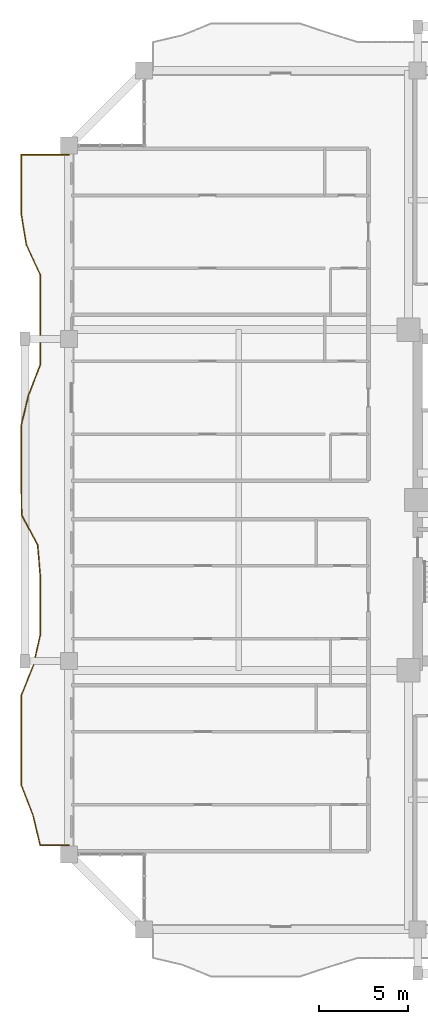
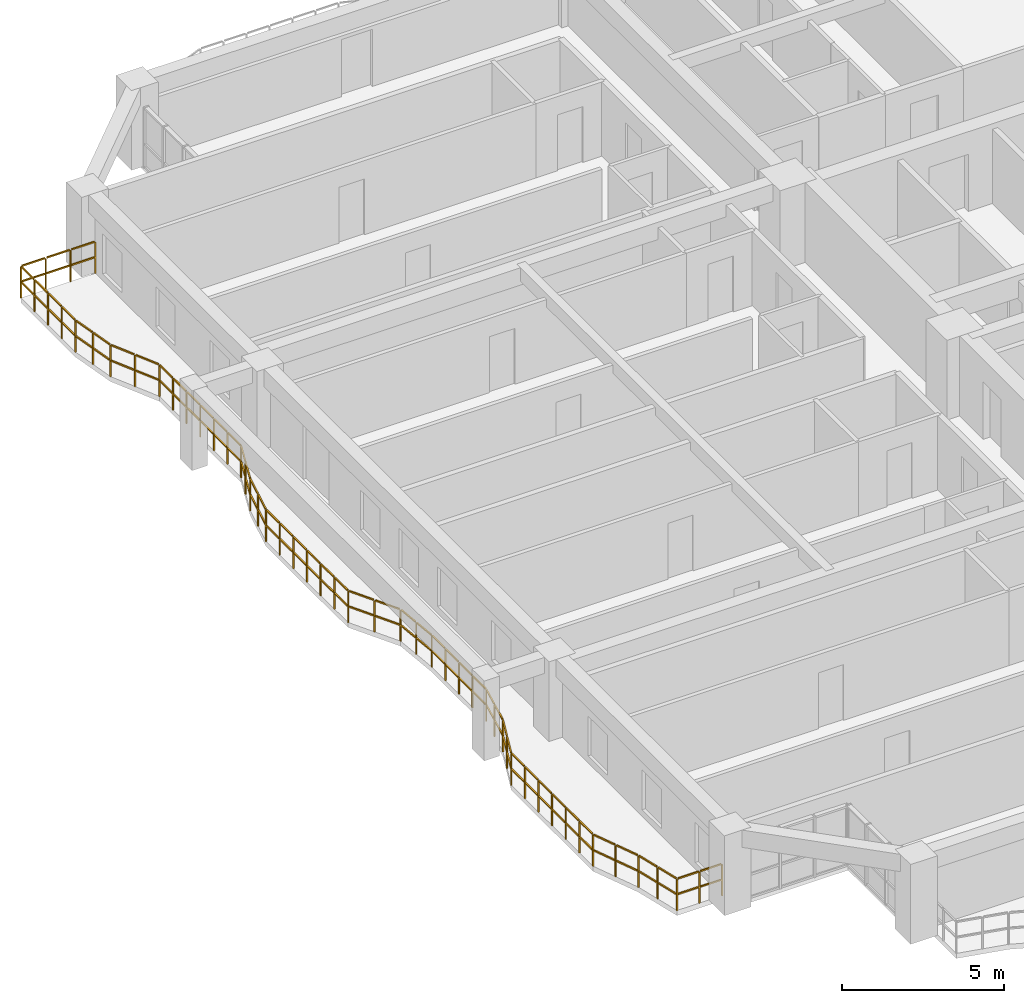
# One storey, part 19 of 22: 1 railing.
"""IFC4 building model written with IfcOpenShell, lengths in metres."""

from ifc_helpers import new_model, si_unit, direction, frame, origin, origin_2d, place, context, subcontext, project, spatial, rectangle, extrude, material, type_object, element, save


model = new_model("IFC4")

# Units and contexts
model_context = context("Model", 3, precision=1e-05, world=origin(), true_north=direction((0.0, 1.0)))
body_context = subcontext(model_context, "Body", "Model", "MODEL_VIEW")
ifc_project = project(units=[si_unit("LENGTHUNIT", "METRE"), si_unit("AREAUNIT", "SQUARE_METRE"), si_unit("VOLUMEUNIT", "CUBIC_METRE"), si_unit("PLANEANGLEUNIT", "RADIAN"), si_unit("MASSUNIT", "GRAM", prefix="KILO")], contexts=[model_context])

# Site, building, storey
site_placement = place(None, origin())
site = spatial("IfcSite", under=ifc_project, at=site_placement, CompositionType="ELEMENT")
building_placement = place(site_placement, origin())
building = spatial("IfcBuilding", under=site, at=building_placement, Name="Saelheon Loggia Tower", CompositionType="ELEMENT")
storey_placement = place(building_placement, frame((0.0, 0.0, 135.75)))
storey = spatial("IfcBuildingStorey", under=building, at=storey_placement, Name="L43", CompositionType="ELEMENT", Elevation=135.75)

# Railing
ifc_material = material(Name="Architectural Precast Concrete and Laminated Glass Guard", Category="concrete")
railing_type = type_object("IfcRailingType", Name="Guard_Loggia_RL_LOG", PredefinedType="BALUSTRADE", material=ifc_material)
railing_placement = place(storey_placement, frame((12.0, 46.300048828125, 0.0)))
element("IfcRailing", 1, at=railing_placement, inside=storey, type_object=railing_type, Name="L43 West Loggia Balustrade", PredefinedType="BALUSTRADE", context=body_context, shape_type="SweptSolid", body=[
    extrude(rectangle(XDim=0.048095703125, YDim=0.048095703125, at=origin_2d()), frame((-0.033203125, 0.0, 1.19580078125), z_axis=(-1.0, 0.0, 0.0), x_axis=(0.0, -1.0, 0.0)), (0.0, 0.0, 1.0), 0.81689453125),
    extrude(rectangle(XDim=0.048095703125, YDim=0.048095703125, at=origin_2d()), frame((-0.033203125, 0.0, 0.60986328125), z_axis=(-1.0, 0.0, 0.0), x_axis=(0.0, -1.0, 0.0)), (0.0, 0.0, 1.0), 0.81689453125),
    extrude(rectangle(XDim=0.048095703125, YDim=0.048095703125, at=origin_2d()), frame((-0.91650390625, 0.0, 1.19580078125), z_axis=(-1.0, 0.0, 0.0), x_axis=(0.0, -1.0, 0.0)), (0.0, 0.0, 1.0), 0.81689453125),
    extrude(rectangle(XDim=0.048095703125, YDim=0.048095703125, at=origin_2d()), frame((-0.91650390625, 0.0, 0.60986328125), z_axis=(-1.0, 0.0, 0.0), x_axis=(0.0, -1.0, 0.0)), (0.0, 0.0, 1.0), 0.81689453125),
    extrude(rectangle(XDim=0.048095703125, YDim=0.048095703125, at=origin_2d()), frame((-1.7998046875, 0.0, 1.19580078125), z_axis=(-1.0, 0.0, 0.0), x_axis=(0.0, -1.0, 0.0)), (0.0, 0.0, 1.0), 0.81689453125),
    extrude(rectangle(XDim=0.048095703125, YDim=0.048095703125, at=origin_2d()), frame((-1.7998046875, 0.0, 0.60986328125), z_axis=(-1.0, 0.0, 0.0), x_axis=(0.0, -1.0, 0.0)), (0.0, 0.0, 1.0), 0.81689453125),
    extrude(rectangle(XDim=0.048095703125, YDim=0.048095703125, at=origin_2d()), frame((-2.64990234375, -0.033203125, 1.19580078125), z_axis=(0.0, -1.0, 0.0), x_axis=(1.0, 0.0, 0.0)), (0.0, 0.0, 1.0), 0.772705078125),
    extrude(rectangle(XDim=0.048095703125, YDim=0.048095703125, at=origin_2d()), frame((-2.64990234375, -0.033203125, 0.60986328125), z_axis=(0.0, -1.0, 0.0), x_axis=(1.0, 0.0, 0.0)), (0.0, 0.0, 1.0), 0.772705078125),
    extrude(rectangle(XDim=0.048095703125, YDim=0.048095703125, at=origin_2d()), frame((-2.64990234375, -0.87255859375, 1.19580078125), z_axis=(0.0, -1.0, 0.0), x_axis=(1.0, 0.0, 0.0)), (0.0, 0.0, 1.0), 0.772705078125),
    extrude(rectangle(XDim=0.048095703125, YDim=0.048095703125, at=origin_2d()), frame((-2.64990234375, -0.87255859375, 0.60986328125), z_axis=(0.0, -1.0, 0.0), x_axis=(1.0, 0.0, 0.0)), (0.0, 0.0, 1.0), 0.772705078125),
    extrude(rectangle(XDim=0.048095703125, YDim=0.048095703125, at=origin_2d()), frame((-2.64990234375, -1.711669921875, 1.19580078125), z_axis=(0.0, -1.0, 0.0), x_axis=(1.0, 0.0, 0.0)), (0.0, 0.0, 1.0), 0.7724609375),
    extrude(rectangle(XDim=0.048095703125, YDim=0.048095703125, at=origin_2d()), frame((-2.64990234375, -1.711669921875, 0.60986328125), z_axis=(0.0, -1.0, 0.0), x_axis=(1.0, 0.0, 0.0)), (0.0, 0.0, 1.0), 0.7724609375),
    extrude(rectangle(XDim=0.048095703125, YDim=0.048095703125, at=origin_2d()), frame((-2.64990234375, -2.55078125, 1.19580078125), z_axis=(0.0, -1.0, 0.0), x_axis=(1.0, 0.0, 0.0)), (0.0, 0.0, 1.0), 0.7724609375),
    extrude(rectangle(XDim=0.048095703125, YDim=0.048095703125, at=origin_2d()), frame((-2.64990234375, -2.55078125, 0.60986328125), z_axis=(0.0, -1.0, 0.0), x_axis=(1.0, 0.0, 0.0)), (0.0, 0.0, 1.0), 0.7724609375),
    extrude(rectangle(XDim=0.048095703125, YDim=0.048095703125, at=origin_2d()), frame((-2.64453125, -3.38916015625, 1.19580078125), z_axis=(0.16176815253, -0.986828792054, 0.0), x_axis=(0.986828792054, 0.16176815253, 0.0)), (0.0, 0.0, 1.0), 0.783935546875),
    extrude(rectangle(XDim=0.048095703125, YDim=0.048095703125, at=origin_2d()), frame((-2.64453125, -3.38916015625, 0.60986328125), z_axis=(0.16176815253, -0.986828792054, 0.0), x_axis=(0.986828792054, 0.16176815253, 0.0)), (0.0, 0.0, 1.0), 0.783935546875),
    extrude(rectangle(XDim=0.048095703125, YDim=0.048095703125, at=origin_2d()), frame((-2.5068359375, -4.228515625, 1.19580078125), z_axis=(0.16176815253, -0.986828792054, 0.0), x_axis=(0.986828792054, 0.16176815253, 0.0)), (0.0, 0.0, 1.0), 0.783935546875),
    extrude(rectangle(XDim=0.048095703125, YDim=0.048095703125, at=origin_2d()), frame((-2.5068359375, -4.228515625, 0.60986328125), z_axis=(0.16176815253, -0.986828792054, 0.0), x_axis=(0.986828792054, 0.16176815253, 0.0)), (0.0, 0.0, 1.0), 0.783935546875),
    extrude(rectangle(XDim=0.048095703125, YDim=0.048095703125, at=origin_2d()), frame((-2.36083984375, -5.065185546875, 1.19580078125), z_axis=(0.419100057061, -0.907940054283, 0.0), x_axis=(0.907940054283, 0.419100057061, 0.0)), (0.0, 0.0, 1.0), 0.857666015625),
    extrude(rectangle(XDim=0.048095703125, YDim=0.048095703125, at=origin_2d()), frame((-2.36083984375, -5.065185546875, 0.60986328125), z_axis=(0.419100057061, -0.907940054283, 0.0), x_axis=(0.907940054283, 0.419100057061, 0.0)), (0.0, 0.0, 1.0), 0.857666015625),
    extrude(rectangle(XDim=0.048095703125, YDim=0.048095703125, at=origin_2d()), frame((-1.973388671875, -5.904296875, 1.19580078125), z_axis=(0.419100057061, -0.907940054283, 0.0), x_axis=(0.907940054283, 0.419100057061, 0.0)), (0.0, 0.0, 1.0), 0.857666015625),
    extrude(rectangle(XDim=0.048095703125, YDim=0.048095703125, at=origin_2d()), frame((-1.973388671875, -5.904296875, 0.60986328125), z_axis=(0.419100057061, -0.907940054283, 0.0), x_axis=(0.907940054283, 0.419100057061, 0.0)), (0.0, 0.0, 1.0), 0.857666015625),
    extrude(rectangle(XDim=0.048095703125, YDim=0.048095703125, at=origin_2d()), frame((-1.60009765625, -6.746337890625, 1.19580078125), z_axis=(0.0, -1.0, 0.0), x_axis=(1.0, 0.0, 0.0)), (0.0, 0.0, 1.0), 0.772705078125),
    extrude(rectangle(XDim=0.048095703125, YDim=0.048095703125, at=origin_2d()), frame((-1.60009765625, -6.746337890625, 0.60986328125), z_axis=(0.0, -1.0, 0.0), x_axis=(1.0, 0.0, 0.0)), (0.0, 0.0, 1.0), 0.772705078125),
    extrude(rectangle(XDim=0.048095703125, YDim=0.048095703125, at=origin_2d()), frame((-1.60009765625, -7.58544921875, 1.19580078125), z_axis=(0.0, -1.0, 0.0), x_axis=(1.0, 0.0, 0.0)), (0.0, 0.0, 1.0), 0.772705078125),
    extrude(rectangle(XDim=0.048095703125, YDim=0.048095703125, at=origin_2d()), frame((-1.60009765625, -7.58544921875, 0.60986328125), z_axis=(0.0, -1.0, 0.0), x_axis=(1.0, 0.0, 0.0)), (0.0, 0.0, 1.0), 0.772705078125),
    extrude(rectangle(XDim=0.048095703125, YDim=0.048095703125, at=origin_2d()), frame((-1.60009765625, -8.424560546875, 1.19580078125), z_axis=(0.0, -1.0, 0.0), x_axis=(1.0, 0.0, 0.0)), (0.0, 0.0, 1.0), 0.772705078125),
    extrude(rectangle(XDim=0.048095703125, YDim=0.048095703125, at=origin_2d()), frame((-1.60009765625, -8.424560546875, 0.60986328125), z_axis=(0.0, -1.0, 0.0), x_axis=(1.0, 0.0, 0.0)), (0.0, 0.0, 1.0), 0.772705078125),
    extrude(rectangle(XDim=0.048095703125, YDim=0.048095703125, at=origin_2d()), frame((-1.60009765625, -9.263671875, 1.19580078125), z_axis=(0.0, -1.0, 0.0), x_axis=(1.0, 0.0, 0.0)), (0.0, 0.0, 1.0), 0.772705078125),
    extrude(rectangle(XDim=0.048095703125, YDim=0.048095703125, at=origin_2d()), frame((-1.60009765625, -9.263671875, 0.60986328125), z_axis=(0.0, -1.0, 0.0), x_axis=(1.0, 0.0, 0.0)), (0.0, 0.0, 1.0), 0.772705078125),
    extrude(rectangle(XDim=0.048095703125, YDim=0.048095703125, at=origin_2d()), frame((-1.60009765625, -10.102783203125, 1.19580078125), z_axis=(0.0, -1.0, 0.0), x_axis=(1.0, 0.0, 0.0)), (0.0, 0.0, 1.0), 0.772705078125),
    extrude(rectangle(XDim=0.048095703125, YDim=0.048095703125, at=origin_2d()), frame((-1.60009765625, -10.102783203125, 0.60986328125), z_axis=(0.0, -1.0, 0.0), x_axis=(1.0, 0.0, 0.0)), (0.0, 0.0, 1.0), 0.772705078125),
    extrude(rectangle(XDim=0.048095703125, YDim=0.048095703125, at=origin_2d()), frame((-1.60009765625, -10.94189453125, 1.19580078125), z_axis=(0.0, -1.0, 0.0), x_axis=(1.0, 0.0, 0.0)), (0.0, 0.0, 1.0), 0.772705078125),
    extrude(rectangle(XDim=0.048095703125, YDim=0.048095703125, at=origin_2d()), frame((-1.60009765625, -10.94189453125, 0.60986328125), z_axis=(0.0, -1.0, 0.0), x_axis=(1.0, 0.0, 0.0)), (0.0, 0.0, 1.0), 0.772705078125),
    extrude(rectangle(XDim=0.048095703125, YDim=0.048095703125, at=origin_2d()), frame((-1.612060546875, -11.77880859375, 1.19580078125), z_axis=(-0.358951787018, -0.93335610278, 0.0), x_axis=(0.93335610278, -0.358951787018, 0.0)), (0.0, 0.0, 1.0), 0.832763671875),
    extrude(rectangle(XDim=0.048095703125, YDim=0.048095703125, at=origin_2d()), frame((-1.612060546875, -11.77880859375, 0.60986328125), z_axis=(-0.358951787018, -0.93335610278, 0.0), x_axis=(0.93335610278, -0.358951787018, 0.0)), (0.0, 0.0, 1.0), 0.832763671875),
    extrude(rectangle(XDim=0.048095703125, YDim=0.048095703125, at=origin_2d()), frame((-1.934814453125, -12.6181640625, 1.19580078125), z_axis=(-0.358951787018, -0.93335610278, 0.0), x_axis=(0.93335610278, -0.358951787018, 0.0)), (0.0, 0.0, 1.0), 0.832763671875),
    extrude(rectangle(XDim=0.048095703125, YDim=0.048095703125, at=origin_2d()), frame((-1.934814453125, -12.6181640625, 0.60986328125), z_axis=(-0.358951787018, -0.93335610278, 0.0), x_axis=(0.93335610278, -0.358951787018, 0.0)), (0.0, 0.0, 1.0), 0.832763671875),
    extrude(rectangle(XDim=0.048095703125, YDim=0.048095703125, at=origin_2d()), frame((-2.25341796875, -13.45849609375, 1.19580078125), z_axis=(-0.234239529091, -0.972178915124, 0.0), x_axis=(0.972178915124, -0.234239529091, 0.0)), (0.0, 0.0, 1.0), 0.796630859375),
    extrude(rectangle(XDim=0.048095703125, YDim=0.048095703125, at=origin_2d()), frame((-2.25341796875, -13.45849609375, 0.60986328125), z_axis=(-0.234239529091, -0.972178915124, 0.0), x_axis=(0.972178915124, -0.234239529091, 0.0)), (0.0, 0.0, 1.0), 0.796630859375),
    extrude(rectangle(XDim=0.048095703125, YDim=0.048095703125, at=origin_2d()), frame((-2.45556640625, -14.297607421875, 1.19580078125), z_axis=(-0.234239529091, -0.972178915124, 0.0), x_axis=(0.972178915124, -0.234239529091, 0.0)), (0.0, 0.0, 1.0), 0.796630859375),
    extrude(rectangle(XDim=0.048095703125, YDim=0.048095703125, at=origin_2d()), frame((-2.45556640625, -14.297607421875, 0.60986328125), z_axis=(-0.234239529091, -0.972178915124, 0.0), x_axis=(0.972178915124, -0.234239529091, 0.0)), (0.0, 0.0, 1.0), 0.796630859375),
    extrude(rectangle(XDim=0.048095703125, YDim=0.048095703125, at=origin_2d()), frame((-2.64990234375, -15.137451171875, 1.19580078125), z_axis=(0.0, -1.0, 0.0), x_axis=(1.0, 0.0, 0.0)), (0.0, 0.0, 1.0), 0.772705078125),
    extrude(rectangle(XDim=0.048095703125, YDim=0.048095703125, at=origin_2d()), frame((-2.64990234375, -15.137451171875, 0.60986328125), z_axis=(0.0, -1.0, 0.0), x_axis=(1.0, 0.0, 0.0)), (0.0, 0.0, 1.0), 0.772705078125),
    extrude(rectangle(XDim=0.048095703125, YDim=0.048095703125, at=origin_2d()), frame((-2.64990234375, -15.976806640625, 1.19580078125), z_axis=(0.0, -1.0, 0.0), x_axis=(1.0, 0.0, 0.0)), (0.0, 0.0, 1.0), 0.772705078125),
    extrude(rectangle(XDim=0.048095703125, YDim=0.048095703125, at=origin_2d()), frame((-2.64990234375, -15.976806640625, 0.60986328125), z_axis=(0.0, -1.0, 0.0), x_axis=(1.0, 0.0, 0.0)), (0.0, 0.0, 1.0), 0.772705078125),
    extrude(rectangle(XDim=0.048095703125, YDim=0.048095703125, at=origin_2d()), frame((-2.64990234375, -16.81591796875, 1.19580078125), z_axis=(0.0, -1.0, 0.0), x_axis=(1.0, 0.0, 0.0)), (0.0, 0.0, 1.0), 0.772705078125),
    extrude(rectangle(XDim=0.048095703125, YDim=0.048095703125, at=origin_2d()), frame((-2.64990234375, -16.81591796875, 0.60986328125), z_axis=(0.0, -1.0, 0.0), x_axis=(1.0, 0.0, 0.0)), (0.0, 0.0, 1.0), 0.772705078125),
    extrude(rectangle(XDim=0.048095703125, YDim=0.048095703125, at=origin_2d()), frame((-2.64990234375, -17.655029296875, 1.19580078125), z_axis=(0.0, -1.0, 0.0), x_axis=(1.0, 0.0, 0.0)), (0.0, 0.0, 1.0), 0.772705078125),
    extrude(rectangle(XDim=0.048095703125, YDim=0.048095703125, at=origin_2d()), frame((-2.64990234375, -17.655029296875, 0.60986328125), z_axis=(0.0, -1.0, 0.0), x_axis=(1.0, 0.0, 0.0)), (0.0, 0.0, 1.0), 0.772705078125),
    extrude(rectangle(XDim=0.048095703125, YDim=0.048095703125, at=origin_2d()), frame((-2.649658203125, -18.494140625, 1.19580078125), z_axis=(0.009310041647, -0.999956660623, 0.0), x_axis=(0.999956660623, 0.009310041647, 0.0)), (0.0, 0.0, 1.0), 0.772705078125),
    extrude(rectangle(XDim=0.048095703125, YDim=0.048095703125, at=origin_2d()), frame((-2.649658203125, -18.494140625, 0.60986328125), z_axis=(0.009310041647, -0.999956660623, 0.0), x_axis=(0.999956660623, 0.009310041647, 0.0)), (0.0, 0.0, 1.0), 0.772705078125),
    extrude(rectangle(XDim=0.048095703125, YDim=0.048095703125, at=origin_2d()), frame((-2.641845703125, -19.333251953125, 1.19580078125), z_axis=(0.009310041647, -0.999956660623, 0.0), x_axis=(0.999956660623, 0.009310041647, 0.0)), (0.0, 0.0, 1.0), 0.772705078125),
    extrude(rectangle(XDim=0.048095703125, YDim=0.048095703125, at=origin_2d()), frame((-2.641845703125, -19.333251953125, 0.60986328125), z_axis=(0.009310041647, -0.999956660623, 0.0), x_axis=(0.999956660623, 0.009310041647, 0.0)), (0.0, 0.0, 1.0), 0.772705078125),
    extrude(rectangle(XDim=0.048095703125, YDim=0.048095703125, at=origin_2d()), frame((-2.61865234375, -20.16845703125, 1.19580078125), z_axis=(0.470474964031, -0.882413343179, 0.0), x_axis=(0.882413343179, 0.470474964031, 0.0)), (0.0, 0.0, 1.0), 0.884521484375),
    extrude(rectangle(XDim=0.048095703125, YDim=0.048095703125, at=origin_2d()), frame((-2.61865234375, -20.16845703125, 0.60986328125), z_axis=(0.470474964031, -0.882413343179, 0.0), x_axis=(0.882413343179, 0.470474964031, 0.0)), (0.0, 0.0, 1.0), 0.884521484375),
    extrude(rectangle(XDim=0.048095703125, YDim=0.048095703125, at=origin_2d()), frame((-2.171142578125, -21.007568359375, 1.19580078125), z_axis=(0.470474964031, -0.882413343179, 0.0), x_axis=(0.882413343179, 0.470474964031, 0.0)), (0.0, 0.0, 1.0), 0.884521484375),
    extrude(rectangle(XDim=0.048095703125, YDim=0.048095703125, at=origin_2d()), frame((-2.171142578125, -21.007568359375, 0.60986328125), z_axis=(0.470474964031, -0.882413343179, 0.0), x_axis=(0.882413343179, 0.470474964031, 0.0)), (0.0, 0.0, 1.0), 0.884521484375),
    extrude(rectangle(XDim=0.048095703125, YDim=0.048095703125, at=origin_2d()), frame((-1.73681640625, -21.8505859375, 1.19580078125), z_axis=(0.082769561471, -0.996568712982, 0.0), x_axis=(0.996568712982, 0.082769561471, 0.0)), (0.0, 0.0, 1.0), 0.775634765625),
    extrude(rectangle(XDim=0.048095703125, YDim=0.048095703125, at=origin_2d()), frame((-1.73681640625, -21.8505859375, 0.60986328125), z_axis=(0.082769561471, -0.996568712982, 0.0), x_axis=(0.996568712982, 0.082769561471, 0.0)), (0.0, 0.0, 1.0), 0.775634765625),
    extrude(rectangle(XDim=0.048095703125, YDim=0.048095703125, at=origin_2d()), frame((-1.6669921875, -22.689697265625, 1.19580078125), z_axis=(0.082769561471, -0.996568712982, 0.0), x_axis=(0.996568712982, 0.082769561471, 0.0)), (0.0, 0.0, 1.0), 0.775634765625),
    extrude(rectangle(XDim=0.048095703125, YDim=0.048095703125, at=origin_2d()), frame((-1.6669921875, -22.689697265625, 0.60986328125), z_axis=(0.082769561471, -0.996568712982, 0.0), x_axis=(0.996568712982, 0.082769561471, 0.0)), (0.0, 0.0, 1.0), 0.775634765625),
    extrude(rectangle(XDim=0.048095703125, YDim=0.048095703125, at=origin_2d()), frame((-1.60009765625, -23.529052734375, 1.19580078125), z_axis=(0.0, -1.0, 0.0), x_axis=(1.0, 0.0, 0.0)), (0.0, 0.0, 1.0), 0.7724609375),
    extrude(rectangle(XDim=0.048095703125, YDim=0.048095703125, at=origin_2d()), frame((-1.60009765625, -23.529052734375, 0.60986328125), z_axis=(0.0, -1.0, 0.0), x_axis=(1.0, 0.0, 0.0)), (0.0, 0.0, 1.0), 0.7724609375),
    extrude(rectangle(XDim=0.048095703125, YDim=0.048095703125, at=origin_2d()), frame((-1.60009765625, -24.3681640625, 1.19580078125), z_axis=(0.0, -1.0, 0.0), x_axis=(1.0, 0.0, 0.0)), (0.0, 0.0, 1.0), 0.7724609375),
    extrude(rectangle(XDim=0.048095703125, YDim=0.048095703125, at=origin_2d()), frame((-1.60009765625, -24.3681640625, 0.60986328125), z_axis=(0.0, -1.0, 0.0), x_axis=(1.0, 0.0, 0.0)), (0.0, 0.0, 1.0), 0.7724609375),
    extrude(rectangle(XDim=0.048095703125, YDim=0.048095703125, at=origin_2d()), frame((-1.60009765625, -25.20703125, 1.19580078125), z_axis=(0.0, -1.0, 0.0), x_axis=(1.0, 0.0, 0.0)), (0.0, 0.0, 1.0), 0.772705078125),
    extrude(rectangle(XDim=0.048095703125, YDim=0.048095703125, at=origin_2d()), frame((-1.60009765625, -25.20703125, 0.60986328125), z_axis=(0.0, -1.0, 0.0), x_axis=(1.0, 0.0, 0.0)), (0.0, 0.0, 1.0), 0.772705078125),
    extrude(rectangle(XDim=0.048095703125, YDim=0.048095703125, at=origin_2d()), frame((-1.60009765625, -26.04638671875, 1.19580078125), z_axis=(0.0, -1.0, 0.0), x_axis=(1.0, 0.0, 0.0)), (0.0, 0.0, 1.0), 0.772705078125),
    extrude(rectangle(XDim=0.048095703125, YDim=0.048095703125, at=origin_2d()), frame((-1.60009765625, -26.04638671875, 0.60986328125), z_axis=(0.0, -1.0, 0.0), x_axis=(1.0, 0.0, 0.0)), (0.0, 0.0, 1.0), 0.772705078125),
    extrude(rectangle(XDim=0.048095703125, YDim=0.048095703125, at=origin_2d()), frame((-1.607421875, -26.884765625, 1.19580078125), z_axis=(-0.219019037478, -0.97572058563, 0.0), x_axis=(0.97572058563, -0.219019037478, 0.0)), (0.0, 0.0, 1.0), 0.79345703125),
    extrude(rectangle(XDim=0.048095703125, YDim=0.048095703125, at=origin_2d()), frame((-1.607421875, -26.884765625, 0.60986328125), z_axis=(-0.219019037478, -0.97572058563, 0.0), x_axis=(0.97572058563, -0.219019037478, 0.0)), (0.0, 0.0, 1.0), 0.79345703125),
    extrude(rectangle(XDim=0.048095703125, YDim=0.048095703125, at=origin_2d()), frame((-1.795654296875, -27.723876953125, 1.19580078125), z_axis=(-0.219019037478, -0.97572058563, 0.0), x_axis=(0.97572058563, -0.219019037478, 0.0)), (0.0, 0.0, 1.0), 0.79345703125),
    extrude(rectangle(XDim=0.048095703125, YDim=0.048095703125, at=origin_2d()), frame((-1.795654296875, -27.723876953125, 0.60986328125), z_axis=(-0.219019037478, -0.97572058563, 0.0), x_axis=(0.97572058563, -0.219019037478, 0.0)), (0.0, 0.0, 1.0), 0.79345703125),
    extrude(rectangle(XDim=0.048095703125, YDim=0.048095703125, at=origin_2d()), frame((-1.9892578125, -28.561279296875, 1.19580078125), z_axis=(-0.372251854994, -0.928131755977, 0.0), x_axis=(0.928131755977, -0.372251854994, 0.0)), (0.0, 0.0, 1.0), 0.837646484375),
    extrude(rectangle(XDim=0.048095703125, YDim=0.048095703125, at=origin_2d()), frame((-1.9892578125, -28.561279296875, 0.60986328125), z_axis=(-0.372251854994, -0.928131755977, 0.0), x_axis=(0.928131755977, -0.372251854994, 0.0)), (0.0, 0.0, 1.0), 0.837646484375),
    extrude(rectangle(XDim=0.048095703125, YDim=0.048095703125, at=origin_2d()), frame((-2.32568359375, -29.400390625, 1.19580078125), z_axis=(-0.372251854994, -0.928131755977, 0.0), x_axis=(0.928131755977, -0.372251854994, 0.0)), (0.0, 0.0, 1.0), 0.837646484375),
    extrude(rectangle(XDim=0.048095703125, YDim=0.048095703125, at=origin_2d()), frame((-2.32568359375, -29.400390625, 0.60986328125), z_axis=(-0.372251854994, -0.928131755977, 0.0), x_axis=(0.928131755977, -0.372251854994, 0.0)), (0.0, 0.0, 1.0), 0.837646484375),
    extrude(rectangle(XDim=0.048095703125, YDim=0.048095703125, at=origin_2d()), frame((-2.64990234375, -30.241943359375, 1.19580078125), z_axis=(0.0, -1.0, 0.0), x_axis=(1.0, 0.0, 0.0)), (0.0, 0.0, 1.0), 0.772705078125),
    extrude(rectangle(XDim=0.048095703125, YDim=0.048095703125, at=origin_2d()), frame((-2.64990234375, -30.241943359375, 0.60986328125), z_axis=(0.0, -1.0, 0.0), x_axis=(1.0, 0.0, 0.0)), (0.0, 0.0, 1.0), 0.772705078125),
    extrude(rectangle(XDim=0.048095703125, YDim=0.048095703125, at=origin_2d()), frame((-2.64990234375, -31.0810546875, 1.19580078125), z_axis=(0.0, -1.0, 0.0), x_axis=(1.0, 0.0, 0.0)), (0.0, 0.0, 1.0), 0.772705078125),
    extrude(rectangle(XDim=0.048095703125, YDim=0.048095703125, at=origin_2d()), frame((-2.64990234375, -31.0810546875, 0.60986328125), z_axis=(0.0, -1.0, 0.0), x_axis=(1.0, 0.0, 0.0)), (0.0, 0.0, 1.0), 0.772705078125),
    extrude(rectangle(XDim=0.048095703125, YDim=0.048095703125, at=origin_2d()), frame((-2.64990234375, -31.920166015625, 1.19580078125), z_axis=(0.0, -1.0, 0.0), x_axis=(1.0, 0.0, 0.0)), (0.0, 0.0, 1.0), 0.772705078125),
    extrude(rectangle(XDim=0.048095703125, YDim=0.048095703125, at=origin_2d()), frame((-2.64990234375, -31.920166015625, 0.60986328125), z_axis=(0.0, -1.0, 0.0), x_axis=(1.0, 0.0, 0.0)), (0.0, 0.0, 1.0), 0.772705078125),
    extrude(rectangle(XDim=0.048095703125, YDim=0.048095703125, at=origin_2d()), frame((-2.64990234375, -32.75927734375, 1.19580078125), z_axis=(0.0, -1.0, 0.0), x_axis=(1.0, 0.0, 0.0)), (0.0, 0.0, 1.0), 0.772705078125),
    extrude(rectangle(XDim=0.048095703125, YDim=0.048095703125, at=origin_2d()), frame((-2.64990234375, -32.75927734375, 0.60986328125), z_axis=(0.0, -1.0, 0.0), x_axis=(1.0, 0.0, 0.0)), (0.0, 0.0, 1.0), 0.772705078125),
    extrude(rectangle(XDim=0.048095703125, YDim=0.048095703125, at=origin_2d()), frame((-2.64990234375, -33.598388671875, 1.19580078125), z_axis=(0.0, -1.0, 0.0), x_axis=(1.0, 0.0, 0.0)), (0.0, 0.0, 1.0), 0.772705078125),
    extrude(rectangle(XDim=0.048095703125, YDim=0.048095703125, at=origin_2d()), frame((-2.64990234375, -33.598388671875, 0.60986328125), z_axis=(0.0, -1.0, 0.0), x_axis=(1.0, 0.0, 0.0)), (0.0, 0.0, 1.0), 0.772705078125),
    extrude(rectangle(XDim=0.048095703125, YDim=0.048095703125, at=origin_2d()), frame((-2.64990234375, -34.437744140625, 1.19580078125), z_axis=(0.0, -1.0, 0.0), x_axis=(1.0, 0.0, 0.0)), (0.0, 0.0, 1.0), 0.772705078125),
    extrude(rectangle(XDim=0.048095703125, YDim=0.048095703125, at=origin_2d()), frame((-2.64990234375, -34.437744140625, 0.60986328125), z_axis=(0.0, -1.0, 0.0), x_axis=(1.0, 0.0, 0.0)), (0.0, 0.0, 1.0), 0.772705078125),
    extrude(rectangle(XDim=0.048095703125, YDim=0.048095703125, at=origin_2d()), frame((-2.637939453125, -35.274658203125, 1.19580078125), z_axis=(0.359988539971, -0.932956725197, 0.0), x_axis=(0.932956725197, 0.359988539971, 0.0)), (0.0, 0.0, 1.0), 0.832763671875),
    extrude(rectangle(XDim=0.048095703125, YDim=0.048095703125, at=origin_2d()), frame((-2.637939453125, -35.274658203125, 0.60986328125), z_axis=(0.359988539971, -0.932956725197, 0.0), x_axis=(0.932956725197, 0.359988539971, 0.0)), (0.0, 0.0, 1.0), 0.832763671875),
    extrude(rectangle(XDim=0.048095703125, YDim=0.048095703125, at=origin_2d()), frame((-2.314208984375, -36.11376953125, 1.19580078125), z_axis=(0.359988539971, -0.932956725197, 0.0), x_axis=(0.932956725197, 0.359988539971, 0.0)), (0.0, 0.0, 1.0), 0.832763671875),
    extrude(rectangle(XDim=0.048095703125, YDim=0.048095703125, at=origin_2d()), frame((-2.314208984375, -36.11376953125, 0.60986328125), z_axis=(0.359988539971, -0.932956725197, 0.0), x_axis=(0.932956725197, 0.359988539971, 0.0)), (0.0, 0.0, 1.0), 0.832763671875),
    extrude(rectangle(XDim=0.048095703125, YDim=0.048095703125, at=origin_2d()), frame((-1.99462890625, -36.953857421875, 1.19580078125), z_axis=(0.233105455965, -0.972451462233, 0.0), x_axis=(0.972451462233, 0.233105455965, 0.0)), (0.0, 0.0, 1.0), 0.796630859375),
    extrude(rectangle(XDim=0.048095703125, YDim=0.048095703125, at=origin_2d()), frame((-1.99462890625, -36.953857421875, 0.60986328125), z_axis=(0.233105455965, -0.972451462233, 0.0), x_axis=(0.972451462233, 0.233105455965, 0.0)), (0.0, 0.0, 1.0), 0.796630859375),
    extrude(rectangle(XDim=0.048095703125, YDim=0.048095703125, at=origin_2d()), frame((-1.79345703125, -37.793212890625, 1.19580078125), z_axis=(0.233105455965, -0.972451462233, 0.0), x_axis=(0.972451462233, 0.233105455965, 0.0)), (0.0, 0.0, 1.0), 0.796630859375),
    extrude(rectangle(XDim=0.048095703125, YDim=0.048095703125, at=origin_2d()), frame((-1.79345703125, -37.793212890625, 0.60986328125), z_axis=(0.233105455965, -0.972451462233, 0.0), x_axis=(0.972451462233, 0.233105455965, 0.0)), (0.0, 0.0, 1.0), 0.796630859375),
    extrude(rectangle(XDim=0.048095703125, YDim=0.048095703125, at=origin_2d()), frame((-1.56689453125, -38.60009765625, 1.19580078125), z_axis=(1.0, 0.0, 0.0), x_axis=(0.0, 1.0, 0.0)), (0.0, 0.0, 1.0), 0.733642578125),
    extrude(rectangle(XDim=0.048095703125, YDim=0.048095703125, at=origin_2d()), frame((-1.56689453125, -38.60009765625, 0.60986328125), z_axis=(1.0, 0.0, 0.0), x_axis=(0.0, 1.0, 0.0)), (0.0, 0.0, 1.0), 0.733642578125),
    extrude(rectangle(XDim=0.048095703125, YDim=0.048095703125, at=origin_2d()), frame((-0.766845703125, -38.60009765625, 1.19580078125), z_axis=(1.0, 0.0, 0.0), x_axis=(0.0, 1.0, 0.0)), (0.0, 0.0, 1.0), 0.733642578125),
    extrude(rectangle(XDim=0.048095703125, YDim=0.048095703125, at=origin_2d()), frame((-0.766845703125, -38.60009765625, 0.60986328125), z_axis=(1.0, 0.0, 0.0), x_axis=(0.0, 1.0, 0.0)), (0.0, 0.0, 1.0), 0.733642578125),
    extrude(rectangle(XDim=0.0419921875, YDim=0.0419921875, at=origin_2d()), origin(), (0.0, 0.0, 1.0), 1.16796875),
    extrude(rectangle(XDim=0.0419921875, YDim=0.0419921875, at=origin_2d()), frame((-0.88330078125, 0.0, 0.0)), (0.0, 0.0, 1.0), 1.16796875),
    extrude(rectangle(XDim=0.0419921875, YDim=0.0419921875, at=origin_2d()), frame((-1.7666015625, 0.0, 0.0)), (0.0, 0.0, 1.0), 1.16796875),
    extrude(rectangle(XDim=0.0419921875, YDim=0.0419921875, at=origin_2d()), frame((-2.64990234375, 0.0, 0.0)), (0.0, 0.0, 1.0), 1.16796875),
    extrude(rectangle(XDim=0.0419921875, YDim=0.0419921875, at=origin_2d()), frame((-2.64990234375, -0.83935546875, 0.0)), (0.0, 0.0, 1.0), 1.16796875),
    extrude(rectangle(XDim=0.0419921875, YDim=0.0419921875, at=origin_2d()), frame((-2.64990234375, -1.678466796875, 0.0)), (0.0, 0.0, 1.0), 1.16796875),
    extrude(rectangle(XDim=0.0419921875, YDim=0.0419921875, at=origin_2d()), frame((-2.64990234375, -2.517578125, 0.0)), (0.0, 0.0, 1.0), 1.16796875),
    extrude(rectangle(XDim=0.0419921875, YDim=0.0419921875, at=origin_2d()), frame((-2.64990234375, -3.3564453125, 0.0)), (0.0, 0.0, 1.0), 1.16796875),
    extrude(rectangle(XDim=0.0419921875, YDim=0.0419921875, at=origin_2d()), frame((-2.51220703125, -4.19580078125, 0.0)), (0.0, 0.0, 1.0), 1.16796875),
    extrude(rectangle(XDim=0.0419921875, YDim=0.0419921875, at=origin_2d()), frame((-2.374755859375, -5.034912109375, 0.0)), (0.0, 0.0, 1.0), 1.16796875),
    extrude(rectangle(XDim=0.0419921875, YDim=0.0419921875, at=origin_2d()), frame((-1.9873046875, -5.8740234375, 0.0)), (0.0, 0.0, 1.0), 1.16796875),
    extrude(rectangle(XDim=0.0419921875, YDim=0.0419921875, at=origin_2d()), frame((-1.60009765625, -6.713134765625, 0.0)), (0.0, 0.0, 1.0), 1.16796875),
    extrude(rectangle(XDim=0.0419921875, YDim=0.0419921875, at=origin_2d()), frame((-1.60009765625, -7.55224609375, 0.0)), (0.0, 0.0, 1.0), 1.16796875),
    extrude(rectangle(XDim=0.0419921875, YDim=0.0419921875, at=origin_2d()), frame((-1.60009765625, -8.391357421875, 0.0)), (0.0, 0.0, 1.0), 1.16796875),
    extrude(rectangle(XDim=0.0419921875, YDim=0.0419921875, at=origin_2d()), frame((-1.60009765625, -9.23046875, 0.0)), (0.0, 0.0, 1.0), 1.16796875),
    extrude(rectangle(XDim=0.0419921875, YDim=0.0419921875, at=origin_2d()), frame((-1.60009765625, -10.069580078125, 0.0)), (0.0, 0.0, 1.0), 1.16796875),
    extrude(rectangle(XDim=0.0419921875, YDim=0.0419921875, at=origin_2d()), frame((-1.60009765625, -10.90869140625, 0.0)), (0.0, 0.0, 1.0), 1.16796875),
    extrude(rectangle(XDim=0.0419921875, YDim=0.0419921875, at=origin_2d()), frame((-1.60009765625, -11.747802734375, 0.0)), (0.0, 0.0, 1.0), 1.16796875),
    extrude(rectangle(XDim=0.0419921875, YDim=0.0419921875, at=origin_2d()), frame((-1.9228515625, -12.5869140625, 0.0)), (0.0, 0.0, 1.0), 1.16796875),
    extrude(rectangle(XDim=0.0419921875, YDim=0.0419921875, at=origin_2d()), frame((-2.24560546875, -13.42626953125, 0.0)), (0.0, 0.0, 1.0), 1.16796875),
    extrude(rectangle(XDim=0.0419921875, YDim=0.0419921875, at=origin_2d()), frame((-2.44775390625, -14.26513671875, 0.0)), (0.0, 0.0, 1.0), 1.16796875),
    extrude(rectangle(XDim=0.0419921875, YDim=0.0419921875, at=origin_2d()), frame((-2.64990234375, -15.104248046875, 0.0)), (0.0, 0.0, 1.0), 1.16796875),
    extrude(rectangle(XDim=0.0419921875, YDim=0.0419921875, at=origin_2d()), frame((-2.64990234375, -15.943359375, 0.0)), (0.0, 0.0, 1.0), 1.16796875),
    extrude(rectangle(XDim=0.0419921875, YDim=0.0419921875, at=origin_2d()), frame((-2.64990234375, -16.78271484375, 0.0)), (0.0, 0.0, 1.0), 1.16796875),
    extrude(rectangle(XDim=0.0419921875, YDim=0.0419921875, at=origin_2d()), frame((-2.64990234375, -17.621826171875, 0.0)), (0.0, 0.0, 1.0), 1.16796875),
    extrude(rectangle(XDim=0.0419921875, YDim=0.0419921875, at=origin_2d()), frame((-2.64990234375, -18.4609375, 0.0)), (0.0, 0.0, 1.0), 1.16796875),
    extrude(rectangle(XDim=0.0419921875, YDim=0.0419921875, at=origin_2d()), frame((-2.64208984375, -19.300048828125, 0.0)), (0.0, 0.0, 1.0), 1.16796875),
    extrude(rectangle(XDim=0.0419921875, YDim=0.0419921875, at=origin_2d()), frame((-2.63427734375, -20.13916015625, 0.0)), (0.0, 0.0, 1.0), 1.16796875),
    extrude(rectangle(XDim=0.0419921875, YDim=0.0419921875, at=origin_2d()), frame((-2.18701171875, -20.978271484375, 0.0)), (0.0, 0.0, 1.0), 1.16796875),
    extrude(rectangle(XDim=0.0419921875, YDim=0.0419921875, at=origin_2d()), frame((-1.739501953125, -21.8173828125, 0.0)), (0.0, 0.0, 1.0), 1.16796875),
    extrude(rectangle(XDim=0.0419921875, YDim=0.0419921875, at=origin_2d()), frame((-1.669921875, -22.65673828125, 0.0)), (0.0, 0.0, 1.0), 1.16796875),
    extrude(rectangle(XDim=0.0419921875, YDim=0.0419921875, at=origin_2d()), frame((-1.60009765625, -23.495849609375, 0.0)), (0.0, 0.0, 1.0), 1.16796875),
    extrude(rectangle(XDim=0.0419921875, YDim=0.0419921875, at=origin_2d()), frame((-1.60009765625, -24.3349609375, 0.0)), (0.0, 0.0, 1.0), 1.16796875),
    extrude(rectangle(XDim=0.0419921875, YDim=0.0419921875, at=origin_2d()), frame((-1.60009765625, -25.173828125, 0.0)), (0.0, 0.0, 1.0), 1.16796875),
    extrude(rectangle(XDim=0.0419921875, YDim=0.0419921875, at=origin_2d()), frame((-1.60009765625, -26.01318359375, 0.0)), (0.0, 0.0, 1.0), 1.16796875),
    extrude(rectangle(XDim=0.0419921875, YDim=0.0419921875, at=origin_2d()), frame((-1.60009765625, -26.852294921875, 0.0)), (0.0, 0.0, 1.0), 1.16796875),
    extrude(rectangle(XDim=0.0419921875, YDim=0.0419921875, at=origin_2d()), frame((-1.78857421875, -27.69140625, 0.0)), (0.0, 0.0, 1.0), 1.16796875),
    extrude(rectangle(XDim=0.0419921875, YDim=0.0419921875, at=origin_2d()), frame((-1.976806640625, -28.530517578125, 0.0)), (0.0, 0.0, 1.0), 1.16796875),
    extrude(rectangle(XDim=0.0419921875, YDim=0.0419921875, at=origin_2d()), frame((-2.3134765625, -29.36962890625, 0.0)), (0.0, 0.0, 1.0), 1.16796875),
    extrude(rectangle(XDim=0.0419921875, YDim=0.0419921875, at=origin_2d()), frame((-2.64990234375, -30.208740234375, 0.0)), (0.0, 0.0, 1.0), 1.16796875),
    extrude(rectangle(XDim=0.0419921875, YDim=0.0419921875, at=origin_2d()), frame((-2.64990234375, -31.0478515625, 0.0)), (0.0, 0.0, 1.0), 1.16796875),
    extrude(rectangle(XDim=0.0419921875, YDim=0.0419921875, at=origin_2d()), frame((-2.64990234375, -31.886962890625, 0.0)), (0.0, 0.0, 1.0), 1.16796875),
    extrude(rectangle(XDim=0.0419921875, YDim=0.0419921875, at=origin_2d()), frame((-2.64990234375, -32.72607421875, 0.0)), (0.0, 0.0, 1.0), 1.16796875),
    extrude(rectangle(XDim=0.0419921875, YDim=0.0419921875, at=origin_2d()), frame((-2.64990234375, -33.565185546875, 0.0)), (0.0, 0.0, 1.0), 1.16796875),
    extrude(rectangle(XDim=0.0419921875, YDim=0.0419921875, at=origin_2d()), frame((-2.64990234375, -34.404296875, 0.0)), (0.0, 0.0, 1.0), 1.16796875),
    extrude(rectangle(XDim=0.0419921875, YDim=0.0419921875, at=origin_2d()), frame((-2.64990234375, -35.24365234375, 0.0)), (0.0, 0.0, 1.0), 1.16796875),
    extrude(rectangle(XDim=0.0419921875, YDim=0.0419921875, at=origin_2d()), frame((-2.326171875, -36.08251953125, 0.0)), (0.0, 0.0, 1.0), 1.16796875),
    extrude(rectangle(XDim=0.0419921875, YDim=0.0419921875, at=origin_2d()), frame((-2.00244140625, -36.921630859375, 0.0)), (0.0, 0.0, 1.0), 1.16796875),
    extrude(rectangle(XDim=0.0419921875, YDim=0.0419921875, at=origin_2d()), frame((-1.80126953125, -37.7607421875, 0.0)), (0.0, 0.0, 1.0), 1.16796875),
    extrude(rectangle(XDim=0.0419921875, YDim=0.0419921875, at=origin_2d()), frame((-1.60009765625, -38.60009765625, 0.0)), (0.0, 0.0, 1.0), 1.16796875),
    extrude(rectangle(XDim=0.0419921875, YDim=0.0419921875, at=origin_2d()), frame((-0.800048828125, -38.60009765625, 0.0)), (0.0, 0.0, 1.0), 1.16796875),
    extrude(rectangle(XDim=0.0419921875, YDim=0.0419921875, at=origin_2d()), frame((0.0, -38.60009765625, 0.0)), (0.0, 0.0, 1.0), 1.16796875),
])

save(model, "model.ifc")
